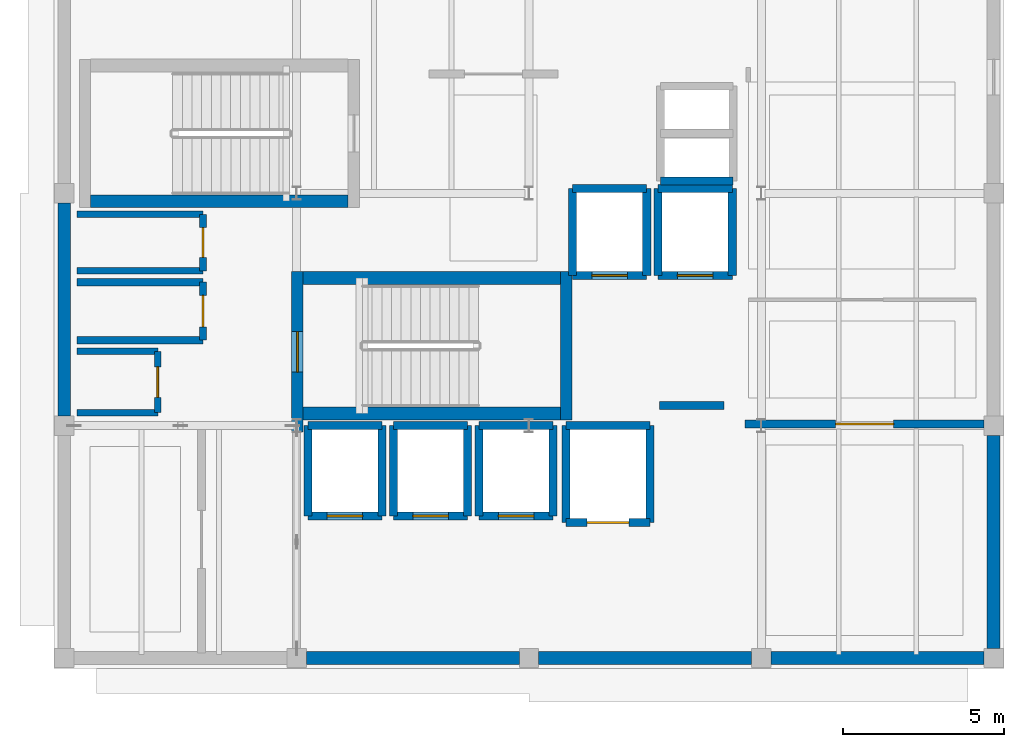
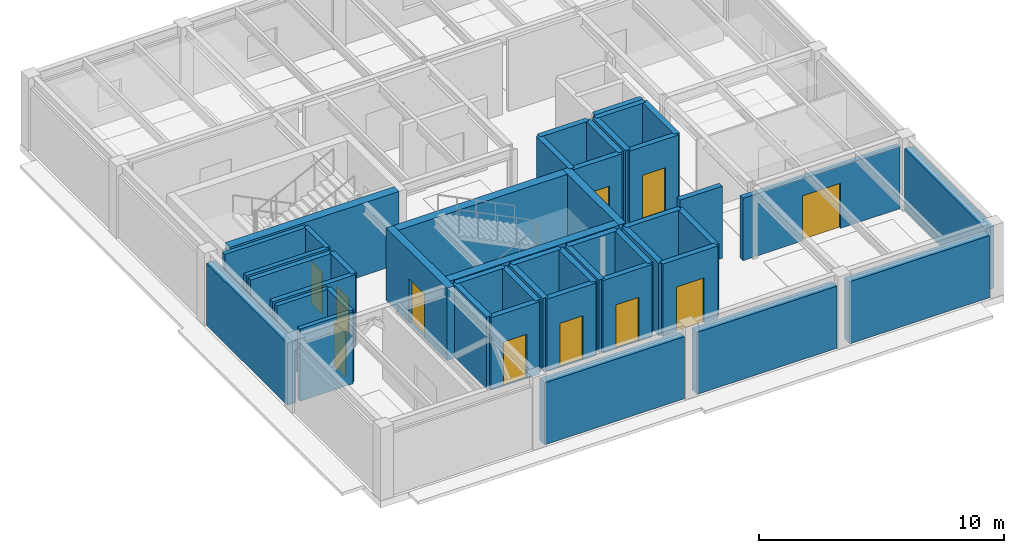
# One storey, part 4 of 8: 46 walls, 11 doors, 11 openings.
"""IFC4 building model written with IfcOpenShell, lengths in metres."""

from ifc_helpers import new_model, si_unit, direction, frame, frame_2d, origin, place, context, subcontext, project, spatial, rectangle, extrude, material, layer, layer_set, type_object, element, fill, save


model = new_model("IFC4")

# Units and contexts
model_context = context("Model", 3, precision=1e-05, world=origin(), true_north=direction((0.0, 1.0)))
body_context = subcontext(model_context, "Body", "Model", "MODEL_VIEW")
ifc_project = project(units=[si_unit("LENGTHUNIT", "METRE"), si_unit("AREAUNIT", "SQUARE_METRE"), si_unit("VOLUMEUNIT", "CUBIC_METRE"), si_unit("PLANEANGLEUNIT", "RADIAN"), si_unit("MASSUNIT", "GRAM", prefix="KILO")], contexts=[model_context])

# Site, building, storey
site_placement = place(None, origin())
site = spatial("IfcSite", under=ifc_project, at=site_placement, CompositionType="ELEMENT")
building_placement = place(site_placement, origin())
building = spatial("IfcBuilding", under=site, at=building_placement, Name="Kandorven Conservatory and Botanical Research Centre", CompositionType="ELEMENT")
storey_placement = place(building_placement, frame((0.0, 0.0, 36.60009765625)))
storey = spatial("IfcBuildingStorey", under=building, at=storey_placement, Name="L09", CompositionType="ELEMENT", Elevation=36.60009765625)

# Walls
ifc_material_1 = material(Name="Concrete C40/50 (M50)", Category="concrete")
ifc_layer_1 = layer(ifc_material_1, 0.39990234375)
ifc_layer_set_1 = layer_set([ifc_layer_1], Name="Concrete C40/50 (M50)")
wall_type_1 = type_object("IfcWallType", Name="Wall_CW-RC-1", PredefinedType="SHEAR", material=ifc_layer_set_1)
for number, where, z_axis, x_axis, name in (
    (1, (13.39990234375, 13.574951171875, 0.0), (0.0, 0.0, 1.0), (1.0, 0.0, 0.0), "Core stair shear wall CW-RC-1 ST-T1 L09 side A"),
    (2, (13.39990234375, 17.77490234375, 0.0), (0.0, 0.0, 1.0), (1.0, 0.0, 0.0), "Core stair shear wall CW-RC-1 ST-T1 L09 side B"),
    (3, (14.800048828125, 20.155029296875, 0.0), (0.0, 0.0, 1.0), (-1.0, 0.0, 0.0), "Core stair shear wall CW-RC-1 ST-T2 L09 side B"),
):
    element("IfcWall", number, at=place(storey_placement, frame(where, z_axis=z_axis, x_axis=x_axis)), inside=storey, type_object=wall_type_1, Name=name, PredefinedType="SHEAR", context=body_context, shape_type="SweptSolid", body=[
        extrude(rectangle(XDim=7.97998046875, YDim=0.39990234375, at=frame_2d((3.989990234375, 0.0))), origin(), (0.0, 0.0, 1.0), 3.619873046875),
    ])

# Wall, opening, door
ifc_material_2 = material(Name="Concrete C40/50 (M50)", Category="concrete")
ifc_layer_2 = layer(ifc_material_2, 0.35009765625)
ifc_layer_set_2 = layer_set([ifc_layer_2], Name="Concrete C40/50 (M50)")
wall_type_2 = type_object("IfcWallType", Name="Wall_CW-RC-2", PredefinedType="SHEAR", material=ifc_layer_set_2)
wall_1_placement = place(storey_placement, frame((13.22509765625, 13.0, 0.0), z_axis=(0.0, 0.0, 1.0), x_axis=(0.0, 1.0, 0.0)))
wall_1 = element("IfcWall", 4, at=wall_1_placement, inside=storey, type_object=wall_type_2, Name="Core stair shear wall CW-RC-2 ST-T1 L09 entry", PredefinedType="SHEAR", context=body_context, shape_type="SweptSolid", body=[
    extrude(rectangle(XDim=4.969970703125, YDim=0.35009765625, at=frame_2d((2.48486328125, 0.0))), origin(), (0.0, 0.0, 1.0), 3.619873046875),
])
opening_1_placement = place(wall_1_placement, frame((1.860107421875, 0.0, 0.0)))
opening_1 = element("IfcOpeningElement", 5, at=opening_1_placement, cuts=wall_1, Name="Opening FD-1", PredefinedType="OPENING", context=body_context, shape_type="SweptSolid", body=[
    extrude(rectangle(XDim=1.25, YDim=2.199951171875, at=frame_2d((0.625, 1.10009765625))), frame((0.0, 0.18505859375, 0.0), z_axis=(0.0, -1.0, 0.0), x_axis=(1.0, 0.0, 0.0)), (0.0, 0.0, 1.0), 0.3701171875),
])
ifc_material_3 = material(Name="Galvanised hollow steel fire door assembly", Category="steel")
door_type_1 = type_object("IfcDoorType", Name="Door_FD-1", OperationType="NOTDEFINED", PredefinedType="DOOR", material=ifc_material_3)
door_1_placement = place(opening_1_placement, origin())
door_1 = element("IfcDoor", 6, at=door_1_placement, inside=storey, type_object=door_type_1, Name="Exit stair fire door FD-1 ST-T1 L09", OperationType="SINGLE_SWING_RIGHT", OverallHeight=2.199951171875, OverallWidth=1.25, PredefinedType="DOOR", context=body_context, shape_type="SweptSolid", body=[
    extrude(rectangle(XDim=1.25, YDim=2.199951171875, at=frame_2d((0.625, 1.10009765625))), frame((0.0, 0.02490234375, 0.0), z_axis=(0.0, -1.0, 0.0), x_axis=(1.0, 0.0, 0.0)), (0.0, 0.0, 1.0), 0.050048828125),
])
fill(opening_1, door_1)

# Wall
wall_2_placement = place(storey_placement, frame((21.554931640625, 13.3798828125, 0.0), z_axis=(0.0, 0.0, 1.0), x_axis=(0.0, 1.0, 0.0)))
element("IfcWall", 7, at=wall_2_placement, inside=storey, type_object=wall_type_2, Name="Core stair shear wall CW-RC-2 ST-T1 L09 far", PredefinedType="SHEAR", context=body_context, shape_type="SweptSolid", body=[
    extrude(rectangle(XDim=4.590087890625, YDim=0.35009765625, at=frame_2d((2.294921875, 0.0))), origin(), (0.0, 0.0, 1.0), 3.619873046875),
])

# Wall, opening, door
wall_3_placement = place(storey_placement, frame((21.75, 17.85009765625, 0.0), z_axis=(0.0, 0.0, 1.0), x_axis=(1.0, 0.0, 0.0)))
wall_3 = element("IfcWall", 8, at=wall_3_placement, inside=storey, type_object=wall_type_2, Name="Lift shaft wall FFL-1 L09 S", PredefinedType="SHEAR", context=body_context, shape_type="SweptSolid", body=[
    extrude(rectangle(XDim=2.300048828125, YDim=0.25, at=frame_2d((1.14990234375, 0.0))), origin(), (0.0, 0.0, 1.0), 3.619873046875),
])
opening_2_placement = place(wall_3_placement, frame((0.60009765625, 0.0, 0.0)))
opening_2 = element("IfcOpeningElement", 9, at=opening_2_placement, cuts=wall_3, Name="Opening LD-01", PredefinedType="OPENING", context=body_context, shape_type="SweptSolid", body=[
    extrude(rectangle(XDim=1.10009765625, YDim=2.199951171875, at=frame_2d((0.550048828125, 1.10009765625))), frame((0.0, 0.135009765625, 0.0), z_axis=(0.0, -1.0, 0.0), x_axis=(1.0, 0.0, 0.0)), (0.0, 0.0, 1.0), 0.27001953125),
])
ifc_material_4 = material(Name="Anodised aluminium sliding landing door", Category="aluminium")
door_type_2 = type_object("IfcDoorType", Name="Door_LD-01", OperationType="DOUBLE_DOOR_SLIDING", PredefinedType="DOOR", material=ifc_material_4)
door_2_placement = place(opening_2_placement, origin())
door_2 = element("IfcDoor", 10, at=door_2_placement, inside=storey, type_object=door_type_2, Name="Lift landing sliding door LD-01 (FFL-1 L09)", OperationType="DOUBLE_DOOR_SLIDING", OverallHeight=2.199951171875, OverallWidth=1.10009765625, PredefinedType="DOOR", context=body_context, shape_type="SweptSolid", body=[
    extrude(rectangle(XDim=1.10009765625, YDim=2.199951171875, at=frame_2d((0.550048828125, 1.10009765625))), frame((0.0, 0.02490234375, 0.0), z_axis=(0.0, -1.0, 0.0), x_axis=(1.0, 0.0, 0.0)), (0.0, 0.0, 1.0), 0.050048828125),
])
fill(opening_2, door_2)

# Walls
wall_4_placement = place(storey_placement, frame((21.75, 20.550048828125, 0.0), z_axis=(0.0, 0.0, 1.0), x_axis=(1.0, 0.0, 0.0)))
element("IfcWall", 11, at=wall_4_placement, inside=storey, type_object=wall_type_2, Name="Lift shaft wall FFL-1 L09 N", PredefinedType="SHEAR", context=body_context, shape_type="SweptSolid", body=[
    extrude(rectangle(XDim=2.300048828125, YDim=0.25, at=frame_2d((1.14990234375, 0.0))), origin(), (0.0, 0.0, 1.0), 3.619873046875),
])
for number, where, z_axis, x_axis, name in (
    (12, (21.75, 17.85009765625, 0.0), (0.0, 0.0, 1.0), (0.0, 1.0, 0.0), "Lift shaft wall FFL-1 L09 W"),
    (13, (24.050048828125, 17.85009765625, 0.0), (0.0, 0.0, 1.0), (0.0, 1.0, 0.0), "Lift shaft wall FFL-1 L09 E"),
):
    element("IfcWall", number, at=place(storey_placement, frame(where, z_axis=z_axis, x_axis=x_axis)), inside=storey, type_object=wall_type_2, Name=name, PredefinedType="SHEAR", context=body_context, shape_type="SweptSolid", body=[
        extrude(rectangle(XDim=2.699951171875, YDim=0.25, at=frame_2d((1.35009765625, 0.0))), origin(), (0.0, 0.0, 1.0), 3.619873046875),
    ])

# Wall, opening, door
wall_5_placement = place(storey_placement, frame((24.39990234375, 17.85009765625, 0.0), z_axis=(0.0, 0.0, 1.0), x_axis=(1.0, 0.0, 0.0)))
wall_5 = element("IfcWall", 14, at=wall_5_placement, inside=storey, type_object=wall_type_2, Name="Lift shaft wall FFL-2 L09 S", PredefinedType="SHEAR", context=body_context, shape_type="SweptSolid", body=[
    extrude(rectangle(XDim=2.300048828125, YDim=0.25, at=frame_2d((1.14990234375, 0.0))), origin(), (0.0, 0.0, 1.0), 3.619873046875),
])
opening_3_placement = place(wall_5_placement, frame((0.60009765625, 0.0, 0.0)))
opening_3 = element("IfcOpeningElement", 15, at=opening_3_placement, cuts=wall_5, Name="Opening LD-01", PredefinedType="OPENING", context=body_context, shape_type="SweptSolid", body=[
    extrude(rectangle(XDim=1.10009765625, YDim=2.199951171875, at=frame_2d((0.550048828125, 1.10009765625))), frame((0.0, 0.135009765625, 0.0), z_axis=(0.0, -1.0, 0.0), x_axis=(1.0, 0.0, 0.0)), (0.0, 0.0, 1.0), 0.27001953125),
])
door_3_placement = place(opening_3_placement, origin())
door_3 = element("IfcDoor", 16, at=door_3_placement, inside=storey, type_object=door_type_2, Name="Lift landing sliding door LD-01 (FFL-2 L09)", OperationType="DOUBLE_DOOR_SLIDING", OverallHeight=2.199951171875, OverallWidth=1.10009765625, PredefinedType="DOOR", context=body_context, shape_type="SweptSolid", body=[
    extrude(rectangle(XDim=1.10009765625, YDim=2.199951171875, at=frame_2d((0.550048828125, 1.10009765625))), frame((0.0, 0.02490234375, 0.0), z_axis=(0.0, -1.0, 0.0), x_axis=(1.0, 0.0, 0.0)), (0.0, 0.0, 1.0), 0.050048828125),
])
fill(opening_3, door_3)

# Walls
wall_6_placement = place(storey_placement, frame((24.39990234375, 20.550048828125, 0.0), z_axis=(0.0, 0.0, 1.0), x_axis=(1.0, 0.0, 0.0)))
element("IfcWall", 17, at=wall_6_placement, inside=storey, type_object=wall_type_2, Name="Lift shaft wall FFL-2 L09 N", PredefinedType="SHEAR", context=body_context, shape_type="SweptSolid", body=[
    extrude(rectangle(XDim=2.300048828125, YDim=0.25, at=frame_2d((1.14990234375, 0.0))), origin(), (0.0, 0.0, 1.0), 3.619873046875),
])
for number, where, z_axis, x_axis, name in (
    (18, (24.39990234375, 17.85009765625, 0.0), (0.0, 0.0, 1.0), (0.0, 1.0, 0.0), "Lift shaft wall FFL-2 L09 W"),
    (19, (26.699951171875, 17.85009765625, 0.0), (0.0, 0.0, 1.0), (0.0, 1.0, 0.0), "Lift shaft wall FFL-2 L09 E"),
):
    element("IfcWall", number, at=place(storey_placement, frame(where, z_axis=z_axis, x_axis=x_axis)), inside=storey, type_object=wall_type_2, Name=name, PredefinedType="SHEAR", context=body_context, shape_type="SweptSolid", body=[
        extrude(rectangle(XDim=2.699951171875, YDim=0.25, at=frame_2d((1.35009765625, 0.0))), origin(), (0.0, 0.0, 1.0), 3.619873046875),
    ])

# Wall, opening, door
wall_7_placement = place(storey_placement, frame((13.550048828125, 10.39990234375, 0.0), z_axis=(0.0, 0.0, 1.0), x_axis=(1.0, 0.0, 0.0)))
wall_7 = element("IfcWall", 20, at=wall_7_placement, inside=storey, type_object=wall_type_2, Name="Lift shaft wall PL-1 L09 S", PredefinedType="SHEAR", context=body_context, shape_type="SweptSolid", body=[
    extrude(rectangle(XDim=2.300048828125, YDim=0.25, at=frame_2d((1.14990234375, 0.0))), origin(), (0.0, 0.0, 1.0), 3.619873046875),
])
opening_4_placement = place(wall_7_placement, frame((0.60009765625, 0.0, 0.0)))
opening_4 = element("IfcOpeningElement", 21, at=opening_4_placement, cuts=wall_7, Name="Opening LD-01", PredefinedType="OPENING", context=body_context, shape_type="SweptSolid", body=[
    extrude(rectangle(XDim=1.10009765625, YDim=2.199951171875, at=frame_2d((0.550048828125, 1.10009765625))), frame((0.0, 0.135009765625, 0.0), z_axis=(0.0, -1.0, 0.0), x_axis=(1.0, 0.0, 0.0)), (0.0, 0.0, 1.0), 0.27001953125),
])
door_4_placement = place(opening_4_placement, origin())
door_4 = element("IfcDoor", 22, at=door_4_placement, inside=storey, type_object=door_type_2, Name="Lift landing sliding door LD-01 (PL-1 L09)", OperationType="DOUBLE_DOOR_SLIDING", OverallHeight=2.199951171875, OverallWidth=1.10009765625, PredefinedType="DOOR", context=body_context, shape_type="SweptSolid", body=[
    extrude(rectangle(XDim=1.10009765625, YDim=2.199951171875, at=frame_2d((0.550048828125, 1.10009765625))), frame((0.0, 0.02490234375, 0.0), z_axis=(0.0, -1.0, 0.0), x_axis=(1.0, 0.0, 0.0)), (0.0, 0.0, 1.0), 0.050048828125),
])
fill(opening_4, door_4)

# Walls
wall_8_placement = place(storey_placement, frame((13.550048828125, 13.199951171875, 0.0), z_axis=(0.0, 0.0, 1.0), x_axis=(1.0, 0.0, 0.0)))
element("IfcWall", 23, at=wall_8_placement, inside=storey, type_object=wall_type_2, Name="Lift shaft wall PL-1 L09 N", PredefinedType="SHEAR", context=body_context, shape_type="SweptSolid", body=[
    extrude(rectangle(XDim=2.300048828125, YDim=0.25, at=frame_2d((1.14990234375, 0.0))), origin(), (0.0, 0.0, 1.0), 3.619873046875),
])
for number, where, z_axis, x_axis, name in (
    (24, (13.550048828125, 10.39990234375, 0.0), (0.0, 0.0, 1.0), (0.0, 1.0, 0.0), "Lift shaft wall PL-1 L09 W"),
    (25, (15.85009765625, 10.39990234375, 0.0), (0.0, 0.0, 1.0), (0.0, 1.0, 0.0), "Lift shaft wall PL-1 L09 E"),
):
    element("IfcWall", number, at=place(storey_placement, frame(where, z_axis=z_axis, x_axis=x_axis)), inside=storey, type_object=wall_type_2, Name=name, PredefinedType="SHEAR", context=body_context, shape_type="SweptSolid", body=[
        extrude(rectangle(XDim=2.800048828125, YDim=0.25, at=frame_2d((1.39990234375, 0.0))), origin(), (0.0, 0.0, 1.0), 3.619873046875),
    ])

# Wall, opening, door
wall_9_placement = place(storey_placement, frame((16.199951171875, 10.39990234375, 0.0), z_axis=(0.0, 0.0, 1.0), x_axis=(1.0, 0.0, 0.0)))
wall_9 = element("IfcWall", 26, at=wall_9_placement, inside=storey, type_object=wall_type_2, Name="Lift shaft wall PL-2 L09 S", PredefinedType="SHEAR", context=body_context, shape_type="SweptSolid", body=[
    extrude(rectangle(XDim=2.300048828125, YDim=0.25, at=frame_2d((1.14990234375, 0.0))), origin(), (0.0, 0.0, 1.0), 3.619873046875),
])
opening_5_placement = place(wall_9_placement, frame((0.60009765625, 0.0, 0.0)))
opening_5 = element("IfcOpeningElement", 27, at=opening_5_placement, cuts=wall_9, Name="Opening LD-01", PredefinedType="OPENING", context=body_context, shape_type="SweptSolid", body=[
    extrude(rectangle(XDim=1.10009765625, YDim=2.199951171875, at=frame_2d((0.550048828125, 1.10009765625))), frame((0.0, 0.135009765625, 0.0), z_axis=(0.0, -1.0, 0.0), x_axis=(1.0, 0.0, 0.0)), (0.0, 0.0, 1.0), 0.27001953125),
])
door_5_placement = place(opening_5_placement, origin())
door_5 = element("IfcDoor", 28, at=door_5_placement, inside=storey, type_object=door_type_2, Name="Lift landing sliding door LD-01 (PL-2 L09)", OperationType="DOUBLE_DOOR_SLIDING", OverallHeight=2.199951171875, OverallWidth=1.10009765625, PredefinedType="DOOR", context=body_context, shape_type="SweptSolid", body=[
    extrude(rectangle(XDim=1.10009765625, YDim=2.199951171875, at=frame_2d((0.550048828125, 1.10009765625))), frame((0.0, 0.02490234375, 0.0), z_axis=(0.0, -1.0, 0.0), x_axis=(1.0, 0.0, 0.0)), (0.0, 0.0, 1.0), 0.050048828125),
])
fill(opening_5, door_5)

# Walls
wall_10_placement = place(storey_placement, frame((16.199951171875, 13.199951171875, 0.0), z_axis=(0.0, 0.0, 1.0), x_axis=(1.0, 0.0, 0.0)))
element("IfcWall", 29, at=wall_10_placement, inside=storey, type_object=wall_type_2, Name="Lift shaft wall PL-2 L09 N", PredefinedType="SHEAR", context=body_context, shape_type="SweptSolid", body=[
    extrude(rectangle(XDim=2.300048828125, YDim=0.25, at=frame_2d((1.14990234375, 0.0))), origin(), (0.0, 0.0, 1.0), 3.619873046875),
])
for number, where, z_axis, x_axis, name in (
    (30, (16.199951171875, 10.39990234375, 0.0), (0.0, 0.0, 1.0), (0.0, 1.0, 0.0), "Lift shaft wall PL-2 L09 W"),
    (31, (18.5, 10.39990234375, 0.0), (0.0, 0.0, 1.0), (0.0, 1.0, 0.0), "Lift shaft wall PL-2 L09 E"),
):
    element("IfcWall", number, at=place(storey_placement, frame(where, z_axis=z_axis, x_axis=x_axis)), inside=storey, type_object=wall_type_2, Name=name, PredefinedType="SHEAR", context=body_context, shape_type="SweptSolid", body=[
        extrude(rectangle(XDim=2.800048828125, YDim=0.25, at=frame_2d((1.39990234375, 0.0))), origin(), (0.0, 0.0, 1.0), 3.619873046875),
    ])

# Wall, opening, door
wall_11_placement = place(storey_placement, frame((18.85009765625, 10.39990234375, 0.0), z_axis=(0.0, 0.0, 1.0), x_axis=(1.0, 0.0, 0.0)))
wall_11 = element("IfcWall", 32, at=wall_11_placement, inside=storey, type_object=wall_type_2, Name="Lift shaft wall PL-3 L09 S", PredefinedType="SHEAR", context=body_context, shape_type="SweptSolid", body=[
    extrude(rectangle(XDim=2.2998046875, YDim=0.25, at=frame_2d((1.14990234375, 0.0))), origin(), (0.0, 0.0, 1.0), 3.619873046875),
])
opening_6_placement = place(wall_11_placement, frame((0.60009765625, 0.0, 0.0)))
opening_6 = element("IfcOpeningElement", 33, at=opening_6_placement, cuts=wall_11, Name="Opening LD-01", PredefinedType="OPENING", context=body_context, shape_type="SweptSolid", body=[
    extrude(rectangle(XDim=1.10009765625, YDim=2.199951171875, at=frame_2d((0.550048828125, 1.10009765625))), frame((0.0, 0.135009765625, 0.0), z_axis=(0.0, -1.0, 0.0), x_axis=(1.0, 0.0, 0.0)), (0.0, 0.0, 1.0), 0.27001953125),
])
door_6_placement = place(opening_6_placement, origin())
door_6 = element("IfcDoor", 34, at=door_6_placement, inside=storey, type_object=door_type_2, Name="Lift landing sliding door LD-01 (PL-3 L09)", OperationType="DOUBLE_DOOR_SLIDING", OverallHeight=2.199951171875, OverallWidth=1.10009765625, PredefinedType="DOOR", context=body_context, shape_type="SweptSolid", body=[
    extrude(rectangle(XDim=1.10009765625, YDim=2.199951171875, at=frame_2d((0.550048828125, 1.10009765625))), frame((0.0, 0.02490234375, 0.0), z_axis=(0.0, -1.0, 0.0), x_axis=(1.0, 0.0, 0.0)), (0.0, 0.0, 1.0), 0.050048828125),
])
fill(opening_6, door_6)

# Walls
wall_12_placement = place(storey_placement, frame((18.85009765625, 13.199951171875, 0.0), z_axis=(0.0, 0.0, 1.0), x_axis=(1.0, 0.0, 0.0)))
element("IfcWall", 35, at=wall_12_placement, inside=storey, type_object=wall_type_2, Name="Lift shaft wall PL-3 L09 N", PredefinedType="SHEAR", context=body_context, shape_type="SweptSolid", body=[
    extrude(rectangle(XDim=2.2998046875, YDim=0.25, at=frame_2d((1.14990234375, 0.0))), origin(), (0.0, 0.0, 1.0), 3.619873046875),
])
for number, where, z_axis, x_axis, name in (
    (36, (18.85009765625, 10.39990234375, 0.0), (0.0, 0.0, 1.0), (0.0, 1.0, 0.0), "Lift shaft wall PL-3 L09 W"),
    (37, (21.14990234375, 10.39990234375, 0.0), (0.0, 0.0, 1.0), (0.0, 1.0, 0.0), "Lift shaft wall PL-3 L09 E"),
):
    element("IfcWall", number, at=place(storey_placement, frame(where, z_axis=z_axis, x_axis=x_axis)), inside=storey, type_object=wall_type_2, Name=name, PredefinedType="SHEAR", context=body_context, shape_type="SweptSolid", body=[
        extrude(rectangle(XDim=2.800048828125, YDim=0.25, at=frame_2d((1.39990234375, 0.0))), origin(), (0.0, 0.0, 1.0), 3.619873046875),
    ])

# Wall, opening, door
wall_13_placement = place(storey_placement, frame((21.550048828125, 10.199951171875, 0.0), z_axis=(0.0, 0.0, 1.0), x_axis=(1.0, 0.0, 0.0)))
wall_13 = element("IfcWall", 38, at=wall_13_placement, inside=storey, type_object=wall_type_2, Name="Lift shaft wall GL-1 L09 S", PredefinedType="SHEAR", context=body_context, shape_type="SweptSolid", body=[
    extrude(rectangle(XDim=2.599853515625, YDim=0.25, at=frame_2d((1.2998046875, 0.0))), origin(), (0.0, 0.0, 1.0), 3.619873046875),
])
opening_7_placement = place(wall_13_placement, frame((0.64990234375, 0.0, 0.0)))
opening_7 = element("IfcOpeningElement", 39, at=opening_7_placement, cuts=wall_13, Name="Opening LD-02", PredefinedType="OPENING", context=body_context, shape_type="SweptSolid", body=[
    extrude(rectangle(XDim=1.300048828125, YDim=2.25, at=frame_2d((0.64990234375, 1.125))), frame((0.0, 0.135009765625, 0.0), z_axis=(0.0, -1.0, 0.0), x_axis=(1.0, 0.0, 0.0)), (0.0, 0.0, 1.0), 0.27001953125),
])
ifc_material_5 = material(Name="Anodised aluminium sliding landing door", Category="aluminium")
door_type_3 = type_object("IfcDoorType", Name="Door_LD-02", OperationType="DOUBLE_DOOR_SLIDING", PredefinedType="DOOR", material=ifc_material_5)
door_7_placement = place(opening_7_placement, origin())
door_7 = element("IfcDoor", 40, at=door_7_placement, inside=storey, type_object=door_type_3, Name="Lift landing sliding door LD-02 (GL-1 L09)", OperationType="DOUBLE_DOOR_SLIDING", OverallHeight=2.25, OverallWidth=1.300048828125, PredefinedType="DOOR", context=body_context, shape_type="SweptSolid", body=[
    extrude(rectangle(XDim=1.300048828125, YDim=2.25, at=frame_2d((0.64990234375, 1.125))), frame((0.0, 0.02490234375, 0.0), z_axis=(0.0, -1.0, 0.0), x_axis=(1.0, 0.0, 0.0)), (0.0, 0.0, 1.0), 0.050048828125),
])
fill(opening_7, door_7)

# Walls
wall_14_placement = place(storey_placement, frame((21.550048828125, 13.199951171875, 0.0), z_axis=(0.0, 0.0, 1.0), x_axis=(1.0, 0.0, 0.0)))
element("IfcWall", 41, at=wall_14_placement, inside=storey, type_object=wall_type_2, Name="Lift shaft wall GL-1 L09 N", PredefinedType="SHEAR", context=body_context, shape_type="SweptSolid", body=[
    extrude(rectangle(XDim=2.599853515625, YDim=0.25, at=frame_2d((1.2998046875, 0.0))), origin(), (0.0, 0.0, 1.0), 3.619873046875),
])
for number, where, z_axis, x_axis, name in (
    (42, (21.550048828125, 10.199951171875, 0.0), (0.0, 0.0, 1.0), (0.0, 1.0, 0.0), "Lift shaft wall GL-1 L09 W"),
    (43, (24.14990234375, 10.199951171875, 0.0), (0.0, 0.0, 1.0), (0.0, 1.0, 0.0), "Lift shaft wall GL-1 L09 E"),
):
    element("IfcWall", number, at=place(storey_placement, frame(where, z_axis=z_axis, x_axis=x_axis)), inside=storey, type_object=wall_type_2, Name=name, PredefinedType="SHEAR", context=body_context, shape_type="SweptSolid", body=[
        extrude(rectangle(XDim=3.0, YDim=0.25, at=frame_2d((1.5, 0.0))), origin(), (0.0, 0.0, 1.0), 3.619873046875),
    ])
wall_15_placement = place(storey_placement, frame((24.47998046875, 20.780029296875, 0.0), z_axis=(0.0, 0.0, 1.0), x_axis=(1.0, 0.0, 0.0)))
element("IfcWall", 44, at=wall_15_placement, inside=storey, type_object=wall_type_2, Name="Core MEP riser shaft wall CW-RC-2 L09 S", PredefinedType="SHEAR", context=body_context, shape_type="SweptSolid", body=[
    extrude(rectangle(XDim=2.239990234375, YDim=0.239990234375, at=frame_2d((1.1201171875, 0.0))), origin(), (0.0, 0.0, 1.0), 3.619873046875),
])
ifc_material_6 = material(Name="Concrete C40/50 (M50)", Category="concrete")
ifc_layer_3 = layer(ifc_material_6, 0.39990234375)
ifc_layer_set_3 = layer_set([ifc_layer_3], Name="Concrete C40/50 (M50)")
wall_type_3 = type_object("IfcWallType", Name="Wall_EW-HB-01", PredefinedType="STANDARD", material=ifc_layer_set_3)
for number, where, z_axis, x_axis, name in (
    (45, (13.5, 6.0, 0.0), (0.0, 0.0, 1.0), (1.0, 0.0, 0.0), "Tower concrete facade wall EW-HB-01 S L09"),
    (46, (20.699951171875, 6.0, 0.0), (0.0, 0.0, 1.0), (1.0, 0.0, 0.0), "Tower concrete facade wall EW-HB-01 S L09"),
    (47, (27.89990234375, 6.0, 0.0), (0.0, 0.0, 1.0), (1.0, 0.0, 0.0), "Tower concrete facade wall EW-HB-01 S L09"),
    (48, (6.0, 13.5, 0.0), (0.0, 0.0, 1.0), (0.0, 1.0, 0.0), "Tower concrete facade wall EW-HB-01 W L09"),
):
    element("IfcWall", number, at=place(storey_placement, frame(where, z_axis=z_axis, x_axis=x_axis)), inside=storey, type_object=wall_type_3, Name=name, PredefinedType="STANDARD", context=body_context, shape_type="SweptSolid", body=[
        extrude(rectangle(XDim=6.60009765625, YDim=0.39990234375, at=frame_2d((3.300048828125, 0.0))), origin(), (0.0, 0.0, 1.0), 3.099853515625),
    ])
wall_16_placement = place(storey_placement, frame((34.800048828125, 6.300048828125, 0.0), z_axis=(0.0, 0.0, 1.0), x_axis=(0.0, 1.0, 0.0)))
element("IfcWall", 49, at=wall_16_placement, inside=storey, type_object=wall_type_3, Name="Tower concrete facade wall EW-HB-01 E L09", PredefinedType="STANDARD", context=body_context, shape_type="SweptSolid", body=[
    extrude(rectangle(XDim=6.599853515625, YDim=0.39990234375, at=frame_2d((3.2998046875, 0.0))), origin(), (0.0, 0.0, 1.0), 3.099853515625),
])
ifc_material_7 = material(Name="Concrete C32/40 (M40)", Category="concrete")
ifc_layer_4 = layer(ifc_material_7, 0.25)
ifc_layer_set_4 = layer_set([ifc_layer_4], Name="Concrete C32/40 (M40)")
wall_type_4 = type_object("IfcWallType", Name="Wall_IW-FR-1", PredefinedType="SOLIDWALL", material=ifc_layer_set_4)
wall_17_placement = place(storey_placement, frame((24.449951171875, 13.820068359375, 0.0), z_axis=(0.0, 0.0, 1.0), x_axis=(1.0, 0.0, 0.0)))
element("IfcWall", 50, at=wall_17_placement, inside=storey, type_object=wall_type_4, Name="Interior fire partition wall IW-FR-1 (Firefighting Lift Lobby L09)", PredefinedType="SOLIDWALL", context=body_context, shape_type="SweptSolid", body=[
    extrude(rectangle(XDim=2.0, YDim=0.25, at=frame_2d((1.0, 0.0))), origin(), (0.0, 0.0, 1.0), 3.599853515625),
])

# Wall, opening, door
wall_18_placement = place(storey_placement, frame((27.10009765625, 13.25, 0.0), z_axis=(0.0, 0.0, 1.0), x_axis=(1.0, 0.0, 0.0)))
wall_18 = element("IfcWall", 51, at=wall_18_placement, inside=storey, type_object=wall_type_4, Name="Interior fire partition wall IW-FR-1 (Compact Mobile Shelving Herbarium Vault)", PredefinedType="SOLIDWALL", context=body_context, shape_type="SweptSolid", body=[
    extrude(rectangle(XDim=7.39990234375, YDim=0.25, at=frame_2d((3.699951171875, 0.0))), origin(), (0.0, 0.0, 1.0), 3.10986328125),
])
opening_8_placement = place(wall_18_placement, frame((2.800048828125, 0.0, 0.0)))
opening_8 = element("IfcOpeningElement", 52, at=opening_8_placement, cuts=wall_18, Name="Opening FD-4", PredefinedType="OPENING", context=body_context, shape_type="SweptSolid", body=[
    extrude(rectangle(XDim=1.800048828125, YDim=2.25, at=frame_2d((0.89990234375, 1.125))), frame((0.0, 0.135009765625, 0.0), z_axis=(0.0, -1.0, 0.0), x_axis=(1.0, 0.0, 0.0)), (0.0, 0.0, 1.0), 0.27001953125),
])
ifc_material_8 = material(Name="Galvanised hollow steel fire door assembly", Category="steel")
door_type_4 = type_object("IfcDoorType", Name="Door_FD-4", OperationType="NOTDEFINED", PredefinedType="DOOR", material=ifc_material_8)
door_8_placement = place(opening_8_placement, origin())
door_8 = element("IfcDoor", 53, at=door_8_placement, inside=storey, type_object=door_type_4, Name="Interior door FD-4 to Compact Mobile Shelving Herbarium Vault", OperationType="DOUBLE_DOOR_SINGLE_SWING", OverallHeight=2.25, OverallWidth=1.800048828125, PredefinedType="DOOR", context=body_context, shape_type="SweptSolid", body=[
    extrude(rectangle(XDim=1.800048828125, YDim=2.25, at=frame_2d((0.89990234375, 1.125))), frame((0.0, 0.02490234375, 0.0), z_axis=(0.0, -1.0, 0.0), x_axis=(1.0, 0.0, 0.0)), (0.0, 0.0, 1.0), 0.050048828125),
])
fill(opening_8, door_8)

ifc_material_9 = material(Name="Autoclaved aerated concrete blockwork masonry", Category="masonry")
ifc_layer_5 = layer(ifc_material_9, 0.22998046875)
ifc_layer_set_5 = layer_set([ifc_layer_5], Name="Autoclaved aerated concrete blockwork masonry")
wall_type_5 = type_object("IfcWallType", Name="Wall_PW-PL-1", PredefinedType="PLUMBINGWALL", material=ifc_layer_set_5)
wall_19_placement = place(storey_placement, frame((10.300048828125, 15.85009765625, 0.0), z_axis=(0.0, 0.0, 1.0), x_axis=(0.0, 1.0, 0.0)))
wall_19 = element("IfcWall", 54, at=wall_19_placement, inside=storey, type_object=wall_type_5, Name="Interior partition wall PW-PL-1 (Staff Female WC L09)", PredefinedType="PLUMBINGWALL", context=body_context, shape_type="SweptSolid", body=[
    extrude(rectangle(XDim=1.7998046875, YDim=0.22998046875, at=frame_2d((0.89990234375, 0.0))), origin(), (0.0, 0.0, 1.0), 3.599853515625),
])
opening_9_placement = place(wall_19_placement, frame((0.409912109375, 0.0, 0.0)))
opening_9 = element("IfcOpeningElement", 55, at=opening_9_placement, cuts=wall_19, Name="Opening D-12", PredefinedType="OPENING", context=body_context, shape_type="SweptSolid", body=[
    extrude(rectangle(XDim=0.97998046875, YDim=2.10009765625, at=frame_2d((0.489990234375, 1.050048828125))), frame((0.0, 0.125, 0.0), z_axis=(0.0, -1.0, 0.0), x_axis=(1.0, 0.0, 0.0)), (0.0, 0.0, 1.0), 0.25),
])
ifc_material_10 = material(Name="Solid core acoustic teak-veneered timber leaf", Category="wood")
door_type_5 = type_object("IfcDoorType", Name="Door_D-12", OperationType="NOTDEFINED", PredefinedType="DOOR", material=ifc_material_10)
door_9_placement = place(opening_9_placement, origin())
door_9 = element("IfcDoor", 56, at=door_9_placement, inside=storey, type_object=door_type_5, Name="Interior door D-12 to Staff Female WC L09", OperationType="SINGLE_SWING_RIGHT", OverallHeight=2.10009765625, OverallWidth=0.97998046875, PredefinedType="DOOR", context=body_context, shape_type="SweptSolid", body=[
    extrude(rectangle(XDim=0.97998046875, YDim=2.10009765625, at=frame_2d((0.489990234375, 1.050048828125))), frame((0.0, 0.02490234375, 0.0), z_axis=(0.0, -1.0, 0.0), x_axis=(1.0, 0.0, 0.0)), (0.0, 0.0, 1.0), 0.050048828125),
])
fill(opening_9, door_9)

# Walls
for number, where, z_axis, x_axis, name in (
    (57, (6.39990234375, 15.85009765625, 0.0), (0.0, 0.0, 1.0), (1.0, 0.0, 0.0), "Sanitary enclosure wall PW-PL-1 (Staff Female WC L09 S)"),
    (58, (6.39990234375, 17.64990234375, 0.0), (0.0, 0.0, 1.0), (1.0, 0.0, 0.0), "Sanitary enclosure wall PW-PL-1 (Staff Female WC L09 N)"),
):
    element("IfcWall", number, at=place(storey_placement, frame(where, z_axis=z_axis, x_axis=x_axis)), inside=storey, type_object=wall_type_5, Name=name, PredefinedType="PLUMBINGWALL", context=body_context, shape_type="SweptSolid", body=[
        extrude(rectangle(XDim=3.900146484375, YDim=0.22998046875, at=frame_2d((1.9501953125, 0.0))), origin(), (0.0, 0.0, 1.0), 3.599853515625),
    ])

# Wall, opening, door
ifc_material_11 = material(Name="Autoclaved aerated concrete blockwork masonry", Category="masonry")
ifc_layer_6 = layer(ifc_material_11, 0.205078125)
ifc_layer_set_6 = layer_set([ifc_layer_6], Name="Autoclaved aerated concrete blockwork masonry")
wall_type_6 = type_object("IfcWallType", Name="Wall_PW-PL-2", PredefinedType="PLUMBINGWALL", material=ifc_layer_set_6)
wall_20_placement = place(storey_placement, frame((8.89990234375, 13.60009765625, 0.0), z_axis=(0.0, 0.0, 1.0), x_axis=(0.0, 1.0, 0.0)))
wall_20 = element("IfcWall", 59, at=wall_20_placement, inside=storey, type_object=wall_type_6, Name="Interior partition wall PW-PL-2 (Accessible WC L09)", PredefinedType="PLUMBINGWALL", context=body_context, shape_type="SweptSolid", body=[
    extrude(rectangle(XDim=1.89990234375, YDim=0.205078125, at=frame_2d((0.949951171875, 0.0))), origin(), (0.0, 0.0, 1.0), 3.599853515625),
])
opening_10_placement = place(wall_20_placement, frame((0.47509765625, 0.0, 0.0)))
opening_10 = element("IfcOpeningElement", 60, at=opening_10_placement, cuts=wall_20, Name="Opening D-01", PredefinedType="OPENING", context=body_context, shape_type="SweptSolid", body=[
    extrude(rectangle(XDim=0.949951171875, YDim=2.14990234375, at=frame_2d((0.47509765625, 1.074951171875))), frame((0.0, 0.112548828125, 0.0), z_axis=(0.0, -1.0, 0.0), x_axis=(1.0, 0.0, 0.0)), (0.0, 0.0, 1.0), 0.22509765625),
])
ifc_material_12 = material(Name="Solid core acoustic teak-veneered timber leaf", Category="wood")
door_type_6 = type_object("IfcDoorType", Name="Door_D-01", OperationType="NOTDEFINED", PredefinedType="DOOR", material=ifc_material_12)
door_10_placement = place(opening_10_placement, frame((0.949951171875, 0.0, 0.0), z_axis=(0.0, 0.0, 1.0), x_axis=(-1.0, 0.0, 0.0)))
door_10 = element("IfcDoor", 61, at=door_10_placement, inside=storey, type_object=door_type_6, Name="Interior door D-01 to Accessible WC L09", OperationType="SINGLE_SWING_LEFT", OverallHeight=2.14990234375, OverallWidth=0.949951171875, PredefinedType="DOOR", context=body_context, shape_type="SweptSolid", body=[
    extrude(rectangle(XDim=0.949951171875, YDim=2.14990234375, at=frame_2d((0.47509765625, 1.074951171875))), frame((0.0, 0.02490234375, 0.0), z_axis=(0.0, -1.0, 0.0), x_axis=(1.0, 0.0, 0.0)), (0.0, 0.0, 1.0), 0.050048828125),
])
fill(opening_10, door_10)

# Walls
for number, where, z_axis, x_axis, name in (
    (62, (6.39990234375, 13.60009765625, 0.0), (0.0, 0.0, 1.0), (1.0, 0.0, 0.0), "Sanitary enclosure wall PW-PL-2 (Accessible WC L09 S)"),
    (63, (6.39990234375, 15.5, 0.0), (0.0, 0.0, 1.0), (1.0, 0.0, 0.0), "Sanitary enclosure wall PW-PL-2 (Accessible WC L09 N)"),
):
    element("IfcWall", number, at=place(storey_placement, frame(where, z_axis=z_axis, x_axis=x_axis)), inside=storey, type_object=wall_type_6, Name=name, PredefinedType="PLUMBINGWALL", context=body_context, shape_type="SweptSolid", body=[
        extrude(rectangle(XDim=2.5, YDim=0.205078125, at=frame_2d((1.25, 0.0))), origin(), (0.0, 0.0, 1.0), 3.599853515625),
    ])

# Wall, opening, door
wall_21_placement = place(storey_placement, frame((10.300048828125, 18.0, 0.0), z_axis=(0.0, 0.0, 1.0), x_axis=(0.0, 1.0, 0.0)))
wall_21 = element("IfcWall", 64, at=wall_21_placement, inside=storey, type_object=wall_type_6, Name="Interior partition wall PW-PL-2 (Staff Male WC L09)", PredefinedType="PLUMBINGWALL", context=body_context, shape_type="SweptSolid", body=[
    extrude(rectangle(XDim=1.75, YDim=0.205078125, at=frame_2d((0.875, 0.0))), origin(), (0.0, 0.0, 1.0), 3.599853515625),
])
opening_11_placement = place(wall_21_placement, frame((0.4150390625, 0.0, 0.0)))
opening_11 = element("IfcOpeningElement", 65, at=opening_11_placement, cuts=wall_21, Name="Opening D-11", PredefinedType="OPENING", context=body_context, shape_type="SweptSolid", body=[
    extrude(rectangle(XDim=0.919921875, YDim=2.10009765625, at=frame_2d((0.4599609375, 1.050048828125))), frame((0.0, 0.112548828125, 0.0), z_axis=(0.0, -1.0, 0.0), x_axis=(1.0, 0.0, 0.0)), (0.0, 0.0, 1.0), 0.22509765625),
])
ifc_material_13 = material(Name="Solid core acoustic teak-veneered timber leaf", Category="wood")
door_type_7 = type_object("IfcDoorType", Name="Door_D-11", OperationType="NOTDEFINED", PredefinedType="DOOR", material=ifc_material_13)
door_11_placement = place(opening_11_placement, origin())
door_11 = element("IfcDoor", 66, at=door_11_placement, inside=storey, type_object=door_type_7, Name="Interior door D-11 to Staff Male WC L09", OperationType="SINGLE_SWING_LEFT", OverallHeight=2.10009765625, OverallWidth=0.919921875, PredefinedType="DOOR", context=body_context, shape_type="SweptSolid", body=[
    extrude(rectangle(XDim=0.919921875, YDim=2.10009765625, at=frame_2d((0.4599609375, 1.050048828125))), frame((0.0, 0.02490234375, 0.0), z_axis=(0.0, -1.0, 0.0), x_axis=(1.0, 0.0, 0.0)), (0.0, 0.0, 1.0), 0.050048828125),
])
fill(opening_11, door_11)

# Walls
for number, where, z_axis, x_axis, name in (
    (67, (6.39990234375, 18.0, 0.0), (0.0, 0.0, 1.0), (1.0, 0.0, 0.0), "Sanitary enclosure wall PW-PL-2 (Staff Male WC L09 S)"),
    (68, (6.39990234375, 19.75, 0.0), (0.0, 0.0, 1.0), (1.0, 0.0, 0.0), "Sanitary enclosure wall PW-PL-2 (Staff Male WC L09 N)"),
):
    element("IfcWall", number, at=place(storey_placement, frame(where, z_axis=z_axis, x_axis=x_axis)), inside=storey, type_object=wall_type_6, Name=name, PredefinedType="PLUMBINGWALL", context=body_context, shape_type="SweptSolid", body=[
        extrude(rectangle(XDim=3.900146484375, YDim=0.205078125, at=frame_2d((1.9501953125, 0.0))), origin(), (0.0, 0.0, 1.0), 3.599853515625),
    ])

save(model, "model.ifc")
